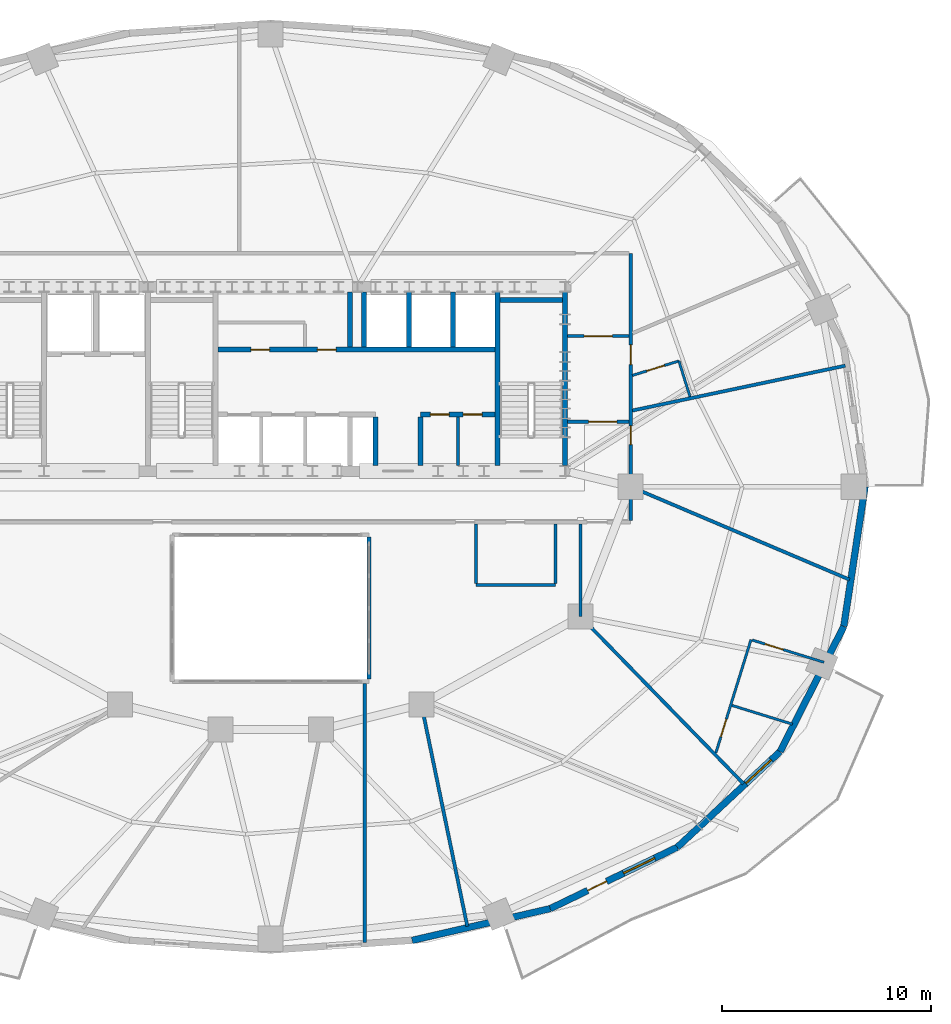
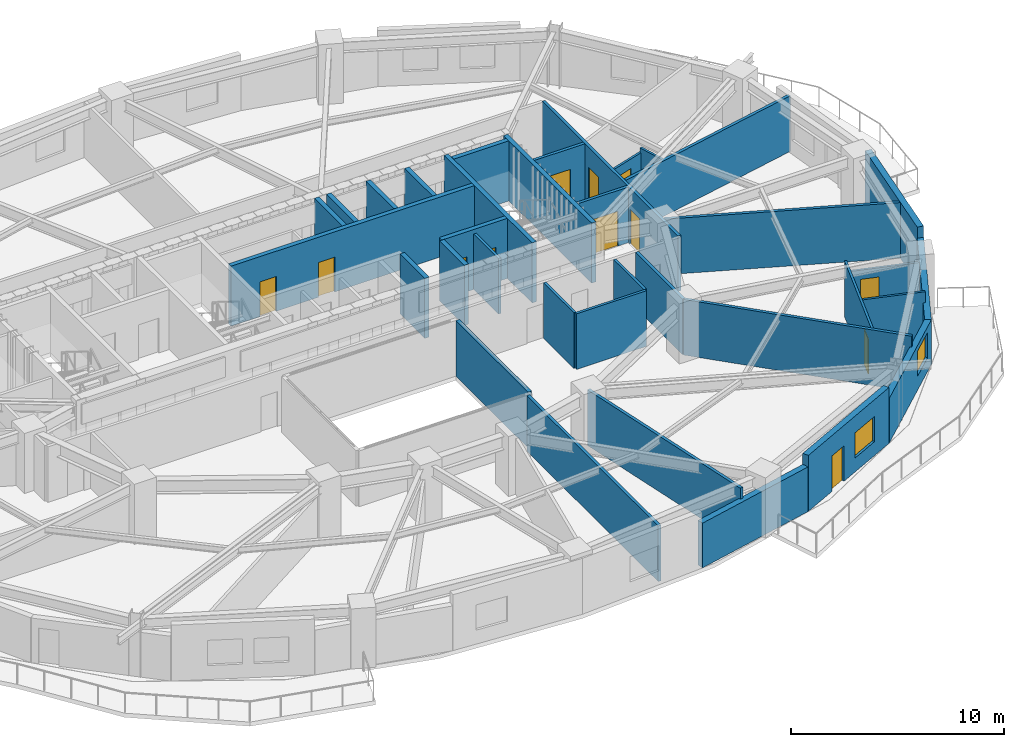
# One storey, part 8 of 12: 35 walls, 12 doors, 2 windows, 14 openings.
"""IFC4 building model written with IfcOpenShell, lengths in metres."""

from ifc_helpers import new_model, si_unit, direction, frame, frame_2d, origin, place, context, subcontext, project, spatial, rectangle, extrude, material, layer, layer_set, type_object, element, fill, save


model = new_model("IFC4")

# Units and contexts
model_context = context("Model", 3, precision=1e-05, world=origin(), true_north=direction((0.0, 1.0)))
body_context = subcontext(model_context, "Body", "Model", "MODEL_VIEW")
ifc_project = project(units=[si_unit("LENGTHUNIT", "METRE"), si_unit("AREAUNIT", "SQUARE_METRE"), si_unit("VOLUMEUNIT", "CUBIC_METRE"), si_unit("PLANEANGLEUNIT", "RADIAN"), si_unit("MASSUNIT", "GRAM", prefix="KILO")], contexts=[model_context])

# Site, building, storey
site_placement = place(None, origin())
site = spatial("IfcSite", under=ifc_project, at=site_placement, CompositionType="ELEMENT")
building_placement = place(site_placement, origin())
building = spatial("IfcBuilding", under=site, at=building_placement, Name="Haldorwick Loom Tower", CompositionType="ELEMENT")
storey_placement = place(building_placement, frame((0.0, 0.0, 113.89990234375)))
storey = spatial("IfcBuildingStorey", under=building, at=storey_placement, Name="L30", CompositionType="ELEMENT", Elevation=113.89990234375)

# Wall
ifc_material_1 = material(Name="Pressed Clay Face Brick and Insulated Masonry Backup Assembly", Category="masonry")
ifc_layer_1 = layer(ifc_material_1, 0.320068359375, Name="Pressed Clay Face Brick and Insulated Masonry Backup Assembly", Category="masonry")
ifc_layer_set_1 = layer_set([ifc_layer_1], Name="Pressed Clay Face Brick and Insulated Masonry Backup Assembly")
wall_type_1 = type_object("IfcWallType", Name="ARC-WL-EXT320", PredefinedType="STANDARD", material=ifc_layer_set_1)
wall_1_placement = place(storey_placement, frame((42.757080078125, 4.325439453125, 0.0), z_axis=(0.0, 0.0, 1.0), x_axis=(0.974584177714, 0.224021607329, 0.0)))
element("IfcWall", 1, at=wall_1_placement, inside=storey, type_object=wall_type_1, Name="L30 Brick Pier and Spandrel Wall 20", PredefinedType="STANDARD", context=body_context, shape_type="SweptSolid", body=[
    extrude(rectangle(XDim=6.767822265625, YDim=0.320068359375, at=frame_2d((3.3837890625, 0.0))), origin(), (0.0, 0.0, 1.0), 2.569091796875),
])

# Wall, openings, door, window
wall_2_placement = place(storey_placement, frame((49.352783203125, 5.841552734375, 0.0), z_axis=(0.0, 0.0, 1.0), x_axis=(0.900510094661, 0.434835106004, 0.0)))
wall_2 = element("IfcWall", 2, at=wall_2_placement, inside=storey, type_object=wall_type_1, Name="L30 Brick Pier and Spandrel Wall 21", PredefinedType="STANDARD", context=body_context, shape_type="SweptSolid", body=[
    extrude(rectangle(XDim=6.744873046875, YDim=0.320068359375, at=frame_2d((3.37255859375, 0.0))), origin(), (0.0, 0.0, 1.0), 3.210205078125),
])
opening_1_placement = place(wall_2_placement, frame((1.994873046875, 0.0, 0.0)))
opening_1 = element("IfcOpeningElement", 3, at=opening_1_placement, cuts=wall_2, Name="Opening D-BL10", PredefinedType="OPENING", context=body_context, shape_type="SweptSolid", body=[
    extrude(rectangle(XDim=1.0, YDim=2.0400390625, at=frame_2d((0.5, 1.02001953125))), frame((0.0, 0.169921875, 0.0), z_axis=(0.0, -1.0, 0.0), x_axis=(1.0, 0.0, 0.0)), (0.0, 0.0, 1.0), 0.340087890625),
])
opening_2_placement = place(wall_2_placement, frame((3.896484375, 0.0, 0.800048828125)))
opening_2 = element("IfcOpeningElement", 4, at=opening_2_placement, cuts=wall_2, Name="Opening W-01B", PredefinedType="OPENING", context=body_context, shape_type="SweptSolid", body=[
    extrude(rectangle(XDim=1.64990234375, YDim=1.449951171875, at=frame_2d((0.824951171875, 0.72509765625))), frame((0.0, 0.169921875, 0.0), z_axis=(0.0, -1.0, 0.0), x_axis=(1.0, 0.0, 0.0)), (0.0, 0.0, 1.0), 0.340087890625),
])
ifc_material_2 = material(Name="Thermally Broken Anodized Aluminium Curtain Wall Framing", Category="aluminium")
door_type_1 = type_object("IfcDoorType", Name="ARC-DR-BAL100", OperationType="NOTDEFINED", PredefinedType="DOOR", material=ifc_material_2)
door_1_placement = place(opening_1_placement, origin())
door_1 = element("IfcDoor", 5, at=door_1_placement, inside=storey, type_object=door_type_1, Name="L30 Outdoor Terrace Door SLB-L30-BAL_SE", OperationType="SINGLE_SWING_RIGHT", OverallHeight=2.0400390625, OverallWidth=1.0, PredefinedType="DOOR", context=body_context, shape_type="SweptSolid", body=[
    extrude(rectangle(XDim=1.0, YDim=2.0400390625, at=frame_2d((0.5, 1.02001953125))), frame((0.0, 0.02490234375, 0.0), z_axis=(0.0, -1.0, 0.0), x_axis=(1.0, 0.0, 0.0)), (0.0, 0.0, 1.0), 0.050048828125),
])
fill(opening_1, door_1)
ifc_material_3 = material(Name="Triple-Glazed Low-E Argon Insulated Glazing Unit", Category="glass")
window_type = type_object("IfcWindowType", Name="ARC-WIN-W165", PartitioningType="SINGLE_PANEL", PredefinedType="WINDOW", material=ifc_material_3)
window_1_placement = place(opening_2_placement, origin())
window_1 = element("IfcWindow", 6, at=window_1_placement, inside=storey, type_object=window_type, Name="L30 Deep-Set Zone 7A Window 21", OverallHeight=1.449951171875, OverallWidth=1.64990234375, PartitioningType="SINGLE_PANEL", PredefinedType="WINDOW", context=body_context, shape_type="SweptSolid", body=[
    extrude(rectangle(XDim=1.64990234375, YDim=1.449951171875, at=frame_2d((0.824951171875, 0.72509765625))), frame((0.0, 0.030029296875, 0.0), z_axis=(0.0, -1.0, 0.0), x_axis=(1.0, 0.0, 0.0)), (0.0, 0.0, 1.0), 0.06005859375),
])
fill(opening_2, window_1)

# Wall, opening, window
wall_3_placement = place(storey_placement, frame((55.426513671875, 8.7744140625, 0.0), z_axis=(0.0, 0.0, 1.0), x_axis=(0.732137360086, 0.681157020052, 0.0)))
wall_3 = element("IfcWall", 7, at=wall_3_placement, inside=storey, type_object=wall_type_1, Name="L30 Brick Pier and Spandrel Wall 22", PredefinedType="STANDARD", context=body_context, shape_type="SweptSolid", body=[
    extrude(rectangle(XDim=6.709228515625, YDim=0.320068359375, at=frame_2d((3.3544921875, 0.0))), origin(), (0.0, 0.0, 1.0), 2.569091796875),
])
opening_3_placement = place(wall_3_placement, frame((4.4794921875, 0.0, 0.800048828125)))
opening_3 = element("IfcOpeningElement", 8, at=opening_3_placement, cuts=wall_3, Name="Opening W-01B", PredefinedType="OPENING", context=body_context, shape_type="SweptSolid", body=[
    extrude(rectangle(XDim=1.64990234375, YDim=1.449951171875, at=frame_2d((0.824951171875, 0.72509765625))), frame((0.0, 0.169921875, 0.0), z_axis=(0.0, -1.0, 0.0), x_axis=(1.0, 0.0, 0.0)), (0.0, 0.0, 1.0), 0.340087890625),
])
window_2_placement = place(opening_3_placement, origin())
window_2 = element("IfcWindow", 9, at=window_2_placement, inside=storey, type_object=window_type, Name="L30 Deep-Set Zone 7A Window 22", OverallHeight=1.449951171875, OverallWidth=1.64990234375, PartitioningType="SINGLE_PANEL", PredefinedType="WINDOW", context=body_context, shape_type="SweptSolid", body=[
    extrude(rectangle(XDim=1.64990234375, YDim=1.449951171875, at=frame_2d((0.824951171875, 0.72509765625))), frame((0.0, 0.030029296875, 0.0), z_axis=(0.0, -1.0, 0.0), x_axis=(1.0, 0.0, 0.0)), (0.0, 0.0, 1.0), 0.06005859375),
])
fill(opening_3, window_2)

# Walls
wall_4_placement = place(storey_placement, frame((60.338623046875, 13.344482421875, 0.0), z_axis=(0.0, 0.0, 1.0), x_axis=(0.453374078001, 0.89132033826, 0.0)))
element("IfcWall", 10, at=wall_4_placement, inside=storey, type_object=wall_type_1, Name="L30 Brick Pier and Spandrel Wall 23", PredefinedType="STANDARD", context=body_context, shape_type="SweptSolid", body=[
    extrude(rectangle(XDim=6.709716796875, YDim=0.320068359375, at=frame_2d((3.35498046875, 0.0))), origin(), (0.0, 0.0, 1.0), 2.569091796875),
])
wall_5_placement = place(storey_placement, frame((63.380615234375, 19.324951171875, 0.0), z_axis=(0.0, 0.0, 1.0), x_axis=(0.150633288003, 0.988589708901, 0.0)))
element("IfcWall", 11, at=wall_5_placement, inside=storey, type_object=wall_type_1, Name="L30 Brick Pier and Spandrel Wall 24", PredefinedType="STANDARD", context=body_context, shape_type="SweptSolid", body=[
    extrude(rectangle(XDim=6.752197265625, YDim=0.320068359375, at=frame_2d((3.3759765625, 0.0))), origin(), (0.0, 0.0, 1.0), 3.210205078125),
])

# Wall, openings, doors
ifc_material_4 = material(Name="Fire-Rated Type X Gypsum Stud Assembly EI 60")
ifc_layer_2 = layer(ifc_material_4, 0.159912109375, Name="Fire-Rated Type X Gypsum Stud Assembly EI 60")
ifc_layer_set_2 = layer_set([ifc_layer_2], Name="Fire-Rated Type X Gypsum Stud Assembly EI 60")
wall_type_2 = type_object("IfcWallType", Name="ARC-WL-FIRE160", PredefinedType="PARTITIONING", material=ifc_layer_set_2)
wall_6_placement = place(storey_placement, frame((53.199951171875, 24.383056640625, 0.0), z_axis=(0.0, 0.0, 1.0), x_axis=(0.0, 1.0, 0.0)))
wall_6 = element("IfcWall", 12, at=wall_6_placement, inside=storey, type_object=wall_type_2, Name="L30 Residential Fire Partition L30-CR-E0", PredefinedType="PARTITIONING", context=body_context, shape_type="SweptSolid", body=[
    extrude(rectangle(XDim=12.766845703125, YDim=0.159912109375, at=frame_2d((6.38330078125, 0.0))), origin(), (0.0, 0.0, 1.0), 3.195068359375),
])
opening_4_placement = place(wall_6_placement, frame((3.622802734375, 0.0, 0.0)))
opening_4 = element("IfcOpeningElement", 13, at=opening_4_placement, cuts=wall_6, Name="Opening D-FD60A", PredefinedType="OPENING", context=body_context, shape_type="SweptSolid", body=[
    extrude(rectangle(XDim=0.89990234375, YDim=2.0, at=frame_2d((0.449951171875, 1.0))), frame((0.0, 0.08984375, 0.0), z_axis=(0.0, -1.0, 0.0), x_axis=(1.0, 0.0, 0.0)), (0.0, 0.0, 1.0), 0.179931640625),
])
opening_5_placement = place(wall_6_placement, frame((7.44921875, 0.0, 0.0)))
opening_5 = element("IfcOpeningElement", 14, at=opening_5_placement, cuts=wall_6, Name="Opening D-FL95", PredefinedType="OPENING", context=body_context, shape_type="SweptSolid", body=[
    extrude(rectangle(XDim=0.949951171875, YDim=2.0400390625, at=frame_2d((0.47509765625, 1.02001953125))), frame((0.0, 0.08984375, 0.0), z_axis=(0.0, -1.0, 0.0), x_axis=(1.0, 0.0, 0.0)), (0.0, 0.0, 1.0), 0.179931640625),
])
ifc_material_5 = material(Name="Hollow Steel Fire Door Assembly", Category="steel")
door_type_2 = type_object("IfcDoorType", Name="ARC-DR-FD60-90", OperationType="NOTDEFINED", PredefinedType="DOOR", material=ifc_material_5)
door_2_placement = place(opening_4_placement, origin())
door_2 = element("IfcDoor", 15, at=door_2_placement, inside=storey, type_object=door_type_2, Name="L30 L30 Central Residential Corridor to Community Music Hall 2 Door", OperationType="SINGLE_SWING_RIGHT", OverallHeight=2.0, OverallWidth=0.89990234375, PredefinedType="DOOR", context=body_context, shape_type="SweptSolid", body=[
    extrude(rectangle(XDim=0.89990234375, YDim=2.0, at=frame_2d((0.449951171875, 1.0))), frame((0.0, 0.02490234375, 0.0), z_axis=(0.0, -1.0, 0.0), x_axis=(1.0, 0.0, 0.0)), (0.0, 0.0, 1.0), 0.050048828125),
])
fill(opening_4, door_2)
ifc_material_6 = material(Name="Solid Core Birch Architectural Door")
door_type_3 = type_object("IfcDoorType", Name="ARC-DR-FLAT95", OperationType="NOTDEFINED", PredefinedType="DOOR", material=ifc_material_6)
door_3_placement = place(opening_5_placement, origin())
door_3 = element("IfcDoor", 16, at=door_3_placement, inside=storey, type_object=door_type_3, Name="L30 L30 East Residential Corridor to Unit 30C Kitchen and Studio Living ", OperationType="SINGLE_SWING_RIGHT", OverallHeight=2.0400390625, OverallWidth=0.949951171875, PredefinedType="DOOR", context=body_context, shape_type="SweptSolid", body=[
    extrude(rectangle(XDim=0.949951171875, YDim=2.0400390625, at=frame_2d((0.47509765625, 1.02001953125))), frame((0.0, 0.02490234375, 0.0), z_axis=(0.0, -1.0, 0.0), x_axis=(1.0, 0.0, 0.0)), (0.0, 0.0, 1.0), 0.050048828125),
])
fill(opening_5, door_3)

# Wall, opening, door
wall_7_placement = place(storey_placement, frame((50.193115234375, 29.10009765625, 0.0), z_axis=(0.0, 0.0, 1.0), x_axis=(1.0, 0.0, 0.0)))
wall_7 = element("IfcWall", 17, at=wall_7_placement, inside=storey, type_object=wall_type_2, Name="L30 Residential Fire Partition L30-CR-ESJ", PredefinedType="PARTITIONING", context=body_context, shape_type="SweptSolid", body=[
    extrude(rectangle(XDim=2.923828125, YDim=0.159912109375, at=frame_2d((1.4619140625, 0.0))), origin(), (0.0, 0.0, 1.0), 3.195068359375),
])
opening_6_placement = place(wall_7_placement, frame((0.99560546875, 0.0, 0.0)))
opening_6 = element("IfcOpeningElement", 18, at=opening_6_placement, cuts=wall_7, Name="Opening D-CR15", PredefinedType="OPENING", context=body_context, shape_type="SweptSolid", body=[
    extrude(rectangle(XDim=1.35009765625, YDim=2.0, at=frame_2d((0.675048828125, 1.0))), frame((0.0, 0.08984375, 0.0), z_axis=(0.0, -1.0, 0.0), x_axis=(1.0, 0.0, 0.0)), (0.0, 0.0, 1.0), 0.179931640625),
])
ifc_material_7 = material(Name="Thermally Broken Anodized Aluminium and Tempered Glass", Category="aluminium")
door_type_4 = type_object("IfcDoorType", Name="ARC-DR-COR150", OperationType="NOTDEFINED", PredefinedType="DOOR", material=ifc_material_7)
door_4_placement = place(opening_6_placement, origin())
door_4 = element("IfcDoor", 19, at=door_4_placement, inside=storey, type_object=door_type_4, Name="L30 L30 East Residential Corridor to L30 Central Residential Corridor Do", OperationType="DOUBLE_DOOR_SINGLE_SWING", OverallHeight=2.0, OverallWidth=1.35009765625, PredefinedType="DOOR", context=body_context, shape_type="SweptSolid", body=[
    extrude(rectangle(XDim=1.35009765625, YDim=2.0, at=frame_2d((0.675048828125, 1.0))), frame((0.0, 0.02490234375, 0.0), z_axis=(0.0, -1.0, 0.0), x_axis=(1.0, 0.0, 0.0)), (0.0, 0.0, 1.0), 0.050048828125),
])
fill(opening_6, door_4)

wall_8_placement = place(storey_placement, frame((50.193115234375, 33.199951171875, 0.0), z_axis=(0.0, 0.0, 1.0), x_axis=(1.0, 0.0, 0.0)))
wall_8 = element("IfcWall", 20, at=wall_8_placement, inside=storey, type_object=wall_type_2, Name="L30 Residential Fire Partition L30-CR-ENJ", PredefinedType="PARTITIONING", context=body_context, shape_type="SweptSolid", body=[
    extrude(rectangle(XDim=2.923828125, YDim=0.159912109375, at=frame_2d((1.4619140625, 0.0))), origin(), (0.0, 0.0, 1.0), 3.195068359375),
])
opening_7_placement = place(wall_8_placement, frame((0.787109375, 0.0, 0.0)))
opening_7 = element("IfcOpeningElement", 21, at=opening_7_placement, cuts=wall_8, Name="Opening D-CR15", PredefinedType="OPENING", context=body_context, shape_type="SweptSolid", body=[
    extrude(rectangle(XDim=1.35009765625, YDim=2.0, at=frame_2d((0.675048828125, 1.0))), frame((0.0, 0.08984375, 0.0), z_axis=(0.0, -1.0, 0.0), x_axis=(1.0, 0.0, 0.0)), (0.0, 0.0, 1.0), 0.179931640625),
])
door_5_placement = place(opening_7_placement, origin())
door_5 = element("IfcDoor", 22, at=door_5_placement, inside=storey, type_object=door_type_4, Name="L30 L30 North Residential Corridor to L30 East Residential Corridor Door", OperationType="DOUBLE_DOOR_SINGLE_SWING", OverallHeight=2.0, OverallWidth=1.35009765625, PredefinedType="DOOR", context=body_context, shape_type="SweptSolid", body=[
    extrude(rectangle(XDim=1.35009765625, YDim=2.0, at=frame_2d((0.675048828125, 1.0))), frame((0.0, 0.02490234375, 0.0), z_axis=(0.0, -1.0, 0.0), x_axis=(1.0, 0.0, 0.0)), (0.0, 0.0, 1.0), 0.050048828125),
])
fill(opening_7, door_5)

# Walls
wall_9_placement = place(storey_placement, frame((53.282958984375, 25.96484375, 0.0), z_axis=(0.0, 0.0, 1.0), x_axis=(0.920498907927, -0.390745134973, 0.0)))
element("IfcWall", 23, at=wall_9_placement, inside=storey, type_object=wall_type_2, Name="L30 Residential Fire Partition L30-ICR-01", PredefinedType="PARTITIONING", context=body_context, shape_type="SweptSolid", body=[
    extrude(rectangle(XDim=11.268310546875, YDim=0.159912109375, at=frame_2d((5.63427734375, 0.0))), origin(), (0.0, 0.0, 1.0), 3.195068359375),
])
wall_10_placement = place(storey_placement, frame((50.800048828125, 19.800048828125, 0.0), z_axis=(0.0, 0.0, 1.0), x_axis=(0.69803761875, -0.716061088742, 0.0)))
element("IfcWall", 24, at=wall_10_placement, inside=storey, type_object=wall_type_2, Name="L30 Residential Fire Partition L30-ICR-03", PredefinedType="PARTITIONING", context=body_context, shape_type="SweptSolid", body=[
    extrude(rectangle(XDim=11.16162109375, YDim=0.159912109375, at=frame_2d((5.580810546875, 0.0))), origin(), (0.0, 0.0, 1.0), 3.195068359375),
])
wall_11_placement = place(storey_placement, frame((43.199951171875, 15.60009765625, 0.0), z_axis=(0.0, 0.0, 1.0), x_axis=(0.202703286055, -0.979240204354, 0.0)))
element("IfcWall", 25, at=wall_11_placement, inside=storey, type_object=wall_type_2, Name="L30 Residential Fire Partition L30-ICR-05", PredefinedType="PARTITIONING", context=body_context, shape_type="SweptSolid", body=[
    extrude(rectangle(XDim=10.82666015625, YDim=0.159912109375, at=frame_2d((5.413330078125, 0.0))), origin(), (0.0, 0.0, 1.0), 3.195068359375),
])
wall_12_placement = place(storey_placement, frame((40.5, 4.235595703125, 0.0), z_axis=(0.0, 0.0, 1.0), x_axis=(0.0, 1.0, 0.0)))
element("IfcWall", 26, at=wall_12_placement, inside=storey, type_object=wall_type_2, Name="L30 Residential Fire Partition L30-SBP-1", PredefinedType="PARTITIONING", context=body_context, shape_type="SweptSolid", body=[
    extrude(rectangle(XDim=12.361328125, YDim=0.159912109375, at=frame_2d((6.1806640625, 0.0))), origin(), (0.0, 0.0, 1.0), 3.195068359375),
])
wall_13_placement = place(storey_placement, frame((50.800048828125, 24.217041015625, 0.0), z_axis=(0.0, 0.0, 1.0), x_axis=(0.0, -1.0, 0.0)))
element("IfcWall", 27, at=wall_13_placement, inside=storey, type_object=wall_type_2, Name="L30 Residential Fire Partition L30-ICA-02", PredefinedType="PARTITIONING", context=body_context, shape_type="SweptSolid", body=[
    extrude(rectangle(XDim=4.4169921875, YDim=0.159912109375, at=frame_2d((2.20849609375, 0.0))), origin(), (0.0, 0.0, 1.0), 3.195068359375),
])
wall_14_placement = place(storey_placement, frame((53.282958984375, 29.64013671875, 0.0), z_axis=(0.0, 0.0, 1.0), x_axis=(0.978535573252, 0.206077975245, 0.0)))
element("IfcWall", 28, at=wall_14_placement, inside=storey, type_object=wall_type_2, Name="L30 Suite Split Wall", PredefinedType="PARTITIONING", context=body_context, shape_type="SweptSolid", body=[
    extrude(rectangle(XDim=10.39111328125, YDim=0.159912109375, at=frame_2d((5.195556640625, 0.0))), origin(), (0.0, 0.0, 1.0), 3.195068359375),
])
ifc_material_8 = material(Name="Fire-Rated Type X Gypsum Stud Assembly EI 120")
ifc_layer_3 = layer(ifc_material_8, 0.199951171875, Name="Fire-Rated Type X Gypsum Stud Assembly EI 120")
ifc_layer_set_3 = layer_set([ifc_layer_3], Name="Fire-Rated Type X Gypsum Stud Assembly EI 120")
wall_type_3 = type_object("IfcWallType", Name="ARC-WL-FIRE200", PredefinedType="PARTITIONING", material=ifc_layer_set_3)
wall_15_placement = place(storey_placement, frame((40.699951171875, 23.596923828125, 0.0), z_axis=(0.0, 0.0, 1.0), x_axis=(0.0, -1.0, 0.0)))
element("IfcWall", 29, at=wall_15_placement, inside=storey, type_object=wall_type_3, Name="L30 Atrium Fire Enclosure Wall E", PredefinedType="PARTITIONING", context=body_context, shape_type="SweptSolid", body=[
    extrude(rectangle(XDim=6.7939453125, YDim=0.199951171875, at=frame_2d((3.39697265625, 0.0))), origin(), (0.0, 0.0, 1.0), 3.195068359375),
])

# Wall, opening, door
ifc_material_9 = material(Name="Acoustic Gypsum Stud Assembly STC 55")
ifc_layer_4 = layer(ifc_material_9, 0.1201171875, Name="Acoustic Gypsum Stud Assembly STC 55")
ifc_layer_set_4 = layer_set([ifc_layer_4], Name="Acoustic Gypsum Stud Assembly STC 55")
wall_type_4 = type_object("IfcWallType", Name="ARC-WL-PART120", PredefinedType="PARTITIONING", material=ifc_layer_set_4)
wall_16_placement = place(storey_placement, frame((57.27001953125, 13.28173828125, 0.0), z_axis=(0.0, 0.0, 1.0), x_axis=(0.29614712292, 0.955142335773, 0.0)))
wall_16 = element("IfcWall", 30, at=wall_16_placement, inside=storey, type_object=wall_type_4, Name="L30 Unit 30A Interior Partition", PredefinedType="PARTITIONING", context=body_context, shape_type="SweptSolid", body=[
    extrude(rectangle(XDim=5.666015625, YDim=0.1201171875, at=frame_2d((2.8330078125, 0.0))), origin(), (0.0, 0.0, 1.0), 3.195068359375),
])
opening_8_placement = place(wall_16_placement, frame((0.806396484375, 0.0, 0.0)))
opening_8 = element("IfcOpeningElement", 31, at=opening_8_placement, cuts=wall_16, Name="Opening D-BT88", PredefinedType="OPENING", context=body_context, shape_type="SweptSolid", body=[
    extrude(rectangle(XDim=0.8798828125, YDim=2.02001953125, at=frame_2d((0.43994140625, 1.010009765625))), frame((0.0, 0.070068359375, 0.0), z_axis=(0.0, -1.0, 0.0), x_axis=(1.0, 0.0, 0.0)), (0.0, 0.0, 1.0), 0.14013671875),
])
door_type_5 = type_object("IfcDoorType", Name="ARC-DR-BATH88", OperationType="NOTDEFINED", PredefinedType="DOOR", material=ifc_material_6)
door_6_placement = place(opening_8_placement, origin())
door_6 = element("IfcDoor", 32, at=door_6_placement, inside=storey, type_object=door_type_5, Name="L30 Unit 30A Kitchen and Penthouse Living Room to Unit 30A Bathroom Door", OperationType="SINGLE_SWING_RIGHT", OverallHeight=2.02001953125, OverallWidth=0.8798828125, PredefinedType="DOOR", context=body_context, shape_type="SweptSolid", body=[
    extrude(rectangle(XDim=0.8798828125, YDim=2.02001953125, at=frame_2d((0.43994140625, 1.010009765625))), frame((0.0, 0.02490234375, 0.0), z_axis=(0.0, -1.0, 0.0), x_axis=(1.0, 0.0, 0.0)), (0.0, 0.0, 1.0), 0.050048828125),
])
fill(opening_8, door_6)

wall_17_placement = place(storey_placement, frame((59.008056640625, 18.6748046875, 0.0), z_axis=(0.0, 0.0, 1.0), x_axis=(0.955157710932, -0.296097529959, 0.0)))
wall_17 = element("IfcWall", 33, at=wall_17_placement, inside=storey, type_object=wall_type_4, Name="L30 Unit 30A Interior Partition", PredefinedType="PARTITIONING", context=body_context, shape_type="SweptSolid", body=[
    extrude(rectangle(XDim=3.589111328125, YDim=0.1201171875, at=frame_2d((1.79443359375, 0.0))), origin(), (0.0, 0.0, 1.0), 2.568115234375),
])
opening_9_placement = place(wall_17_placement, frame((0.644287109375, 0.0, 0.0)))
opening_9 = element("IfcOpeningElement", 34, at=opening_9_placement, cuts=wall_17, Name="Opening D-IN90", PredefinedType="OPENING", context=body_context, shape_type="SweptSolid", body=[
    extrude(rectangle(XDim=0.89990234375, YDim=2.0400390625, at=frame_2d((0.449951171875, 1.02001953125))), frame((0.0, 0.070068359375, 0.0), z_axis=(0.0, -1.0, 0.0), x_axis=(1.0, 0.0, 0.0)), (0.0, 0.0, 1.0), 0.14013671875),
])
door_type_6 = type_object("IfcDoorType", Name="ARC-DR-INT90", OperationType="NOTDEFINED", PredefinedType="DOOR", material=ifc_material_6)
door_7_placement = place(opening_9_placement, origin())
door_7 = element("IfcDoor", 35, at=door_7_placement, inside=storey, type_object=door_type_6, Name="L30 Unit 30A Kitchen and Penthouse Living Room to Unit 30A Bedroom 1 Doo", OperationType="SINGLE_SWING_LEFT", OverallHeight=2.0400390625, OverallWidth=0.89990234375, PredefinedType="DOOR", context=body_context, shape_type="SweptSolid", body=[
    extrude(rectangle(XDim=0.89990234375, YDim=2.0400390625, at=frame_2d((0.449951171875, 1.02001953125))), frame((0.0, 0.02490234375, 0.0), z_axis=(0.0, -1.0, 0.0), x_axis=(1.0, 0.0, 0.0)), (0.0, 0.0, 1.0), 0.050048828125),
])
fill(opening_9, door_7)

# Walls
wall_18_placement = place(storey_placement, frame((58.039794921875, 15.551513671875, 0.0), z_axis=(0.0, 0.0, 1.0), x_axis=(0.955147520776, -0.296130399579, 0.0)))
element("IfcWall", 36, at=wall_18_placement, inside=storey, type_object=wall_type_4, Name="L30 Unit 30A Interior Partition", PredefinedType="PARTITIONING", context=body_context, shape_type="SweptSolid", body=[
    extrude(rectangle(XDim=3.028076171875, YDim=0.1201171875, at=frame_2d((1.51416015625, 0.0))), origin(), (0.0, 0.0, 1.0), 3.195068359375),
])
wall_19_placement = place(storey_placement, frame((56.033935546875, 30.30419921875, 0.0), z_axis=(0.0, 0.0, 1.0), x_axis=(-0.297074870096, 0.954854188637, 0.0)))
element("IfcWall", 37, at=wall_19_placement, inside=storey, type_object=wall_type_4, Name="L30 Unit 30C Interior Partition", PredefinedType="PARTITIONING", context=body_context, shape_type="SweptSolid", body=[
    extrude(rectangle(XDim=1.7841796875, YDim=0.1201171875, at=frame_2d((0.89208984375, 0.0))), origin(), (0.0, 0.0, 1.0), 2.8271484375),
])

# Wall, opening, door
wall_20_placement = place(storey_placement, frame((53.282958984375, 31.317138671875, 0.0), z_axis=(0.0, 0.0, 1.0), x_axis=(0.954891837705, 0.296953831908, 0.0)))
wall_20 = element("IfcWall", 38, at=wall_20_placement, inside=storey, type_object=wall_type_4, Name="L30 Unit 30C Interior Partition", PredefinedType="PARTITIONING", context=body_context, shape_type="SweptSolid", body=[
    extrude(rectangle(XDim=2.325927734375, YDim=0.1201171875, at=frame_2d((1.1630859375, 0.0))), origin(), (0.0, 0.0, 1.0), 2.568115234375),
])
opening_10_placement = place(wall_20_placement, frame((0.722900390625, 0.0, 0.0)))
opening_10 = element("IfcOpeningElement", 39, at=opening_10_placement, cuts=wall_20, Name="Opening D-BT88", PredefinedType="OPENING", context=body_context, shape_type="SweptSolid", body=[
    extrude(rectangle(XDim=0.8798828125, YDim=2.02001953125, at=frame_2d((0.43994140625, 1.010009765625))), frame((0.0, 0.070068359375, 0.0), z_axis=(0.0, -1.0, 0.0), x_axis=(1.0, 0.0, 0.0)), (0.0, 0.0, 1.0), 0.14013671875),
])
door_8_placement = place(opening_10_placement, origin())
door_8 = element("IfcDoor", 40, at=door_8_placement, inside=storey, type_object=door_type_5, Name="L30 Unit 30C Kitchen and Studio Living Room to Unit 30C Bathroom Door", OperationType="SINGLE_SWING_LEFT", OverallHeight=2.02001953125, OverallWidth=0.8798828125, PredefinedType="DOOR", context=body_context, shape_type="SweptSolid", body=[
    extrude(rectangle(XDim=0.8798828125, YDim=2.02001953125, at=frame_2d((0.43994140625, 1.010009765625))), frame((0.0, 0.02490234375, 0.0), z_axis=(0.0, -1.0, 0.0), x_axis=(1.0, 0.0, 0.0)), (0.0, 0.0, 1.0), 0.050048828125),
])
fill(opening_10, door_8)

# Walls
ifc_layer_5 = layer(ifc_material_4, 0.139892578125, Name="Fire-Rated Type X Gypsum Stud Assembly EI 60")
ifc_layer_set_5 = layer_set([ifc_layer_5], Name="Fire-Rated Type X Gypsum Stud Assembly EI 60")
wall_type_5 = type_object("IfcWallType", Name="ARC-WL-PART140", PredefinedType="PARTITIONING", material=ifc_layer_set_5)
wall_21_placement = place(storey_placement, frame((44.949951171875, 27.0029296875, 0.0), z_axis=(0.0, 0.0, 1.0), x_axis=(0.0, 1.0, 0.0)))
element("IfcWall", 41, at=wall_21_placement, inside=storey, type_object=wall_type_5, Name="L30 Service Partition", PredefinedType="PARTITIONING", context=body_context, shape_type="SweptSolid", body=[
    extrude(rectangle(XDim=2.323974609375, YDim=0.139892578125, at=frame_2d((1.162109375, 0.0))), origin(), (0.0, 0.0, 1.0), 3.195068359375),
])
wall_22_placement = place(storey_placement, frame((45.800048828125, 21.300048828125, 0.0), z_axis=(0.0, 0.0, 1.0), x_axis=(1.0, 0.0, 0.0)))
element("IfcWall", 42, at=wall_22_placement, inside=storey, type_object=wall_type_5, Name="L30 Residential Fire Partition L30-CWC-S", PredefinedType="PARTITIONING", context=body_context, shape_type="SweptSolid", body=[
    extrude(rectangle(XDim=3.800048828125, YDim=0.139892578125, at=frame_2d((1.89990234375, 0.0))), origin(), (0.0, 0.0, 1.0), 3.195068359375),
])
for number, where, z_axis, x_axis, name in (
    (43, (45.800048828125, 21.373046875, 0.0), (0.0, 0.0, 1.0), (0.0, 1.0, 0.0), "L30 Residential Fire Partition L30-CWC-W"),
    (44, (49.60009765625, 21.373046875, 0.0), (0.0, 0.0, 1.0), (0.0, 1.0, 0.0), "L30 Residential Fire Partition L30-CWC-E"),
):
    element("IfcWall", number, at=place(storey_placement, frame(where, z_axis=z_axis, x_axis=x_axis)), inside=storey, type_object=wall_type_5, Name=name, PredefinedType="PARTITIONING", context=body_context, shape_type="SweptSolid", body=[
        extrude(rectangle(XDim=2.843994140625, YDim=0.139892578125, at=frame_2d((1.421875, 0.0))), origin(), (0.0, 0.0, 1.0), 3.195068359375),
    ])
ifc_material_10 = material(Name="Concrete C50 (50 MPa)", Category="concrete")
ifc_layer_6 = layer(ifc_material_10, 0.239990234375, Name="Concrete C50 (50 MPa)", Category="concrete")
ifc_layer_set_6 = layer_set([ifc_layer_6], Name="Concrete C50 (50 MPa)")
wall_type_6 = type_object("IfcWallType", Name="STR-WL-SHAFT240", PredefinedType="SHEAR", material=ifc_layer_set_6)
for number, where, z_axis, x_axis, name in (
    (45, (50.070068359375, 27.0029296875, 0.0), (0.0, 0.0, 1.0), (0.0, 1.0, 0.0), "L30 Core Shear Wall E"),
    (46, (46.830078125, 27.0029296875, 0.0), (0.0, 0.0, 1.0), (0.0, 1.0, 0.0), "L30 Core Shear Wall 4"),
):
    element("IfcWall", number, at=place(storey_placement, frame(where, z_axis=z_axis, x_axis=x_axis)), inside=storey, type_object=wall_type_6, Name=name, PredefinedType="SHEAR", context=body_context, shape_type="SweptSolid", body=[
        extrude(rectangle(XDim=8.294189453125, YDim=0.239990234375, at=frame_2d((4.14697265625, 0.0))), origin(), (0.0, 0.0, 1.0), 3.4501953125),
    ])
wall_23_placement = place(storey_placement, frame((46.952880859375, 34.919921875, 0.0), z_axis=(0.0, 0.0, 1.0), x_axis=(1.0, 0.0, 0.0)))
element("IfcWall", 47, at=wall_23_placement, inside=storey, type_object=wall_type_6, Name="L30 Core Shear Wall 4N", PredefinedType="SHEAR", context=body_context, shape_type="SweptSolid", body=[
    extrude(rectangle(XDim=2.994140625, YDim=0.239990234375, at=frame_2d((1.4970703125, 0.0))), origin(), (0.0, 0.0, 1.0), 3.4501953125),
])

# Wall, openings, doors
wall_24_placement = place(storey_placement, frame((33.492919921875, 32.550048828125, 0.0), z_axis=(0.0, 0.0, 1.0), x_axis=(1.0, 0.0, 0.0)))
wall_24 = element("IfcWall", 48, at=wall_24_placement, inside=storey, type_object=wall_type_6, Name="L30 Core Shear Wall LN", PredefinedType="SHEAR", context=body_context, shape_type="SweptSolid", body=[
    extrude(rectangle(XDim=13.214111328125, YDim=0.239990234375, at=frame_2d((6.60693359375, 0.0))), origin(), (0.0, 0.0, 1.0), 3.4501953125),
])
opening_11_placement = place(wall_24_placement, frame((1.556884765625, 0.0, 0.0)))
opening_11 = element("IfcOpeningElement", 49, at=opening_11_placement, cuts=wall_24, Name="Opening D-FD60A", PredefinedType="OPENING", context=body_context, shape_type="SweptSolid", body=[
    extrude(rectangle(XDim=0.89990234375, YDim=2.0, at=frame_2d((0.449951171875, 1.0))), frame((0.0, 0.1298828125, 0.0), z_axis=(0.0, -1.0, 0.0), x_axis=(1.0, 0.0, 0.0)), (0.0, 0.0, 1.0), 0.260009765625),
])
opening_12_placement = place(wall_24_placement, frame((4.737060546875, 0.0, 0.0)))
opening_12 = element("IfcOpeningElement", 50, at=opening_12_placement, cuts=wall_24, Name="Opening D-FD60A", PredefinedType="OPENING", context=body_context, shape_type="SweptSolid", body=[
    extrude(rectangle(XDim=0.89990234375, YDim=2.0, at=frame_2d((0.449951171875, 1.0))), frame((0.0, 0.1298828125, 0.0), z_axis=(0.0, -1.0, 0.0), x_axis=(1.0, 0.0, 0.0)), (0.0, 0.0, 1.0), 0.260009765625),
])
door_9_placement = place(opening_11_placement, frame((0.89990234375, 0.0, 0.0), z_axis=(0.0, 0.0, 1.0), x_axis=(-1.0, 0.0, 0.0)))
door_9 = element("IfcDoor", 51, at=door_9_placement, inside=storey, type_object=door_type_2, Name="L30 Resident Storage Door", OperationType="SINGLE_SWING_LEFT", OverallHeight=2.0, OverallWidth=0.89990234375, PredefinedType="DOOR", context=body_context, shape_type="SweptSolid", body=[
    extrude(rectangle(XDim=0.89990234375, YDim=2.0, at=frame_2d((0.449951171875, 1.0))), frame((0.0, 0.02490234375, 0.0), z_axis=(0.0, -1.0, 0.0), x_axis=(1.0, 0.0, 0.0)), (0.0, 0.0, 1.0), 0.050048828125),
])
fill(opening_11, door_9)
door_10_placement = place(opening_12_placement, frame((0.89990234375, 0.0, 0.0), z_axis=(0.0, 0.0, 1.0), x_axis=(-1.0, 0.0, 0.0)))
door_10 = element("IfcDoor", 52, at=door_10_placement, inside=storey, type_object=door_type_2, Name="L30 Laundry Door", OperationType="SINGLE_SWING_RIGHT", OverallHeight=2.0, OverallWidth=0.89990234375, PredefinedType="DOOR", context=body_context, shape_type="SweptSolid", body=[
    extrude(rectangle(XDim=0.89990234375, YDim=2.0, at=frame_2d((0.449951171875, 1.0))), frame((0.0, 0.02490234375, 0.0), z_axis=(0.0, -1.0, 0.0), x_axis=(1.0, 0.0, 0.0)), (0.0, 0.0, 1.0), 0.050048828125),
])
fill(opening_12, door_10)

wall_25_placement = place(storey_placement, frame((43.14990234375, 29.449951171875, 0.0), z_axis=(0.0, 0.0, 1.0), x_axis=(1.0, 0.0, 0.0)))
wall_25 = element("IfcWall", 53, at=wall_25_placement, inside=storey, type_object=wall_type_6, Name="L30 Core Shear Wall LS2", PredefinedType="SHEAR", context=body_context, shape_type="SweptSolid", body=[
    extrude(rectangle(XDim=3.55712890625, YDim=0.239990234375, at=frame_2d((1.778564453125, 0.0))), origin(), (0.0, 0.0, 1.0), 3.4501953125),
])
opening_13_placement = place(wall_25_placement, frame((0.47998046875, 0.0, 0.0)))
opening_13 = element("IfcOpeningElement", 54, at=opening_13_placement, cuts=wall_25, Name="Opening D-FD60A", PredefinedType="OPENING", context=body_context, shape_type="SweptSolid", body=[
    extrude(rectangle(XDim=0.89990234375, YDim=2.0, at=frame_2d((0.449951171875, 1.0))), frame((0.0, 0.1298828125, 0.0), z_axis=(0.0, -1.0, 0.0), x_axis=(1.0, 0.0, 0.0)), (0.0, 0.0, 1.0), 0.260009765625),
])
opening_14_placement = place(wall_25_placement, frame((2.050048828125, 0.0, 0.0)))
opening_14 = element("IfcOpeningElement", 55, at=opening_14_placement, cuts=wall_25, Name="Opening D-FD60A", PredefinedType="OPENING", context=body_context, shape_type="SweptSolid", body=[
    extrude(rectangle(XDim=0.89990234375, YDim=2.0, at=frame_2d((0.449951171875, 1.0))), frame((0.0, 0.1298828125, 0.0), z_axis=(0.0, -1.0, 0.0), x_axis=(1.0, 0.0, 0.0)), (0.0, 0.0, 1.0), 0.260009765625),
])
door_11_placement = place(opening_13_placement, origin())
door_11 = element("IfcDoor", 56, at=door_11_placement, inside=storey, type_object=door_type_2, Name="L30 Electrical Room Door", OperationType="SINGLE_SWING_LEFT", OverallHeight=2.0, OverallWidth=0.89990234375, PredefinedType="DOOR", context=body_context, shape_type="SweptSolid", body=[
    extrude(rectangle(XDim=0.89990234375, YDim=2.0, at=frame_2d((0.449951171875, 1.0))), frame((0.0, 0.02490234375, 0.0), z_axis=(0.0, -1.0, 0.0), x_axis=(1.0, 0.0, 0.0)), (0.0, 0.0, 1.0), 0.050048828125),
])
fill(opening_13, door_11)
door_12_placement = place(opening_14_placement, origin())
door_12 = element("IfcDoor", 57, at=door_12_placement, inside=storey, type_object=door_type_2, Name="L30 Cleaner's Store Door", OperationType="SINGLE_SWING_LEFT", OverallHeight=2.0, OverallWidth=0.89990234375, PredefinedType="DOOR", context=body_context, shape_type="SweptSolid", body=[
    extrude(rectangle(XDim=0.89990234375, YDim=2.0, at=frame_2d((0.449951171875, 1.0))), frame((0.0, 0.02490234375, 0.0), z_axis=(0.0, -1.0, 0.0), x_axis=(1.0, 0.0, 0.0)), (0.0, 0.0, 1.0), 0.050048828125),
])
fill(opening_14, door_12)

# Walls
for number, where, z_axis, x_axis, name in (
    (58, (41.0, 27.0029296875, 0.0), (0.0, 0.0, 1.0), (0.0, 1.0, 0.0), "L30 Core Shear Wall THW"),
    (59, (43.14990234375, 27.0029296875, 0.0), (0.0, 0.0, 1.0), (0.0, 1.0, 0.0), "L30 Core Shear Wall THE"),
):
    element("IfcWall", number, at=place(storey_placement, frame(where, z_axis=z_axis, x_axis=x_axis)), inside=storey, type_object=wall_type_6, Name=name, PredefinedType="SHEAR", context=body_context, shape_type="SweptSolid", body=[
        extrude(rectangle(XDim=2.323974609375, YDim=0.239990234375, at=frame_2d((1.162109375, 0.0))), origin(), (0.0, 0.0, 1.0), 3.4501953125),
    ])
for number, where, z_axis, x_axis, name in (
    (60, (39.800048828125, 32.673095703125, 0.0), (0.0, 0.0, 1.0), (0.0, 1.0, 0.0), "L30 Core Shear Wall LHW"),
    (61, (40.449951171875, 32.673095703125, 0.0), (0.0, 0.0, 1.0), (0.0, 1.0, 0.0), "L30 Core Shear Wall H0"),
    (62, (42.60009765625, 32.673095703125, 0.0), (0.0, 0.0, 1.0), (0.0, 1.0, 0.0), "L30 Core Shear Wall H1"),
    (63, (44.699951171875, 32.673095703125, 0.0), (0.0, 0.0, 1.0), (0.0, 1.0, 0.0), "L30 Core Shear Wall H2"),
):
    element("IfcWall", number, at=place(storey_placement, frame(where, z_axis=z_axis, x_axis=x_axis)), inside=storey, type_object=wall_type_6, Name=name, PredefinedType="SHEAR", context=body_context, shape_type="SweptSolid", body=[
        extrude(rectangle(XDim=2.6240234375, YDim=0.239990234375, at=frame_2d((1.31201171875, 0.0))), origin(), (0.0, 0.0, 1.0), 3.4501953125),
    ])

save(model, "model.ifc")
